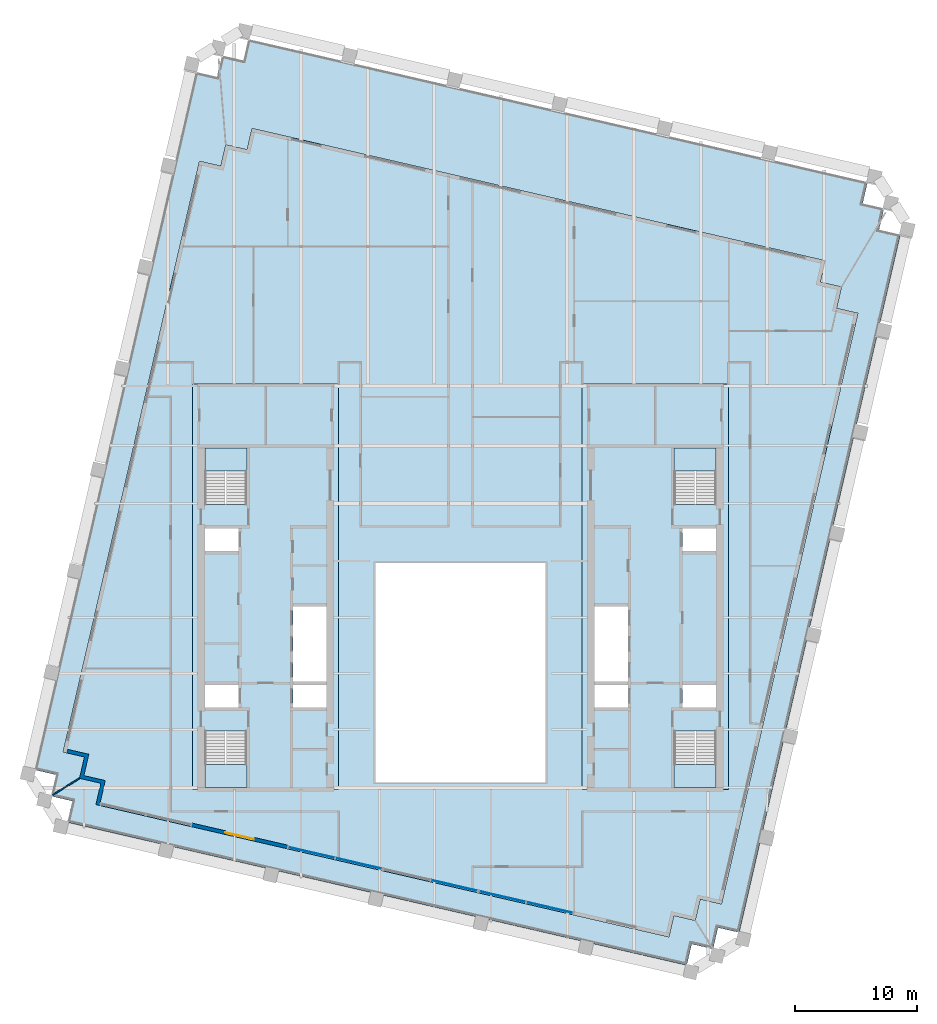
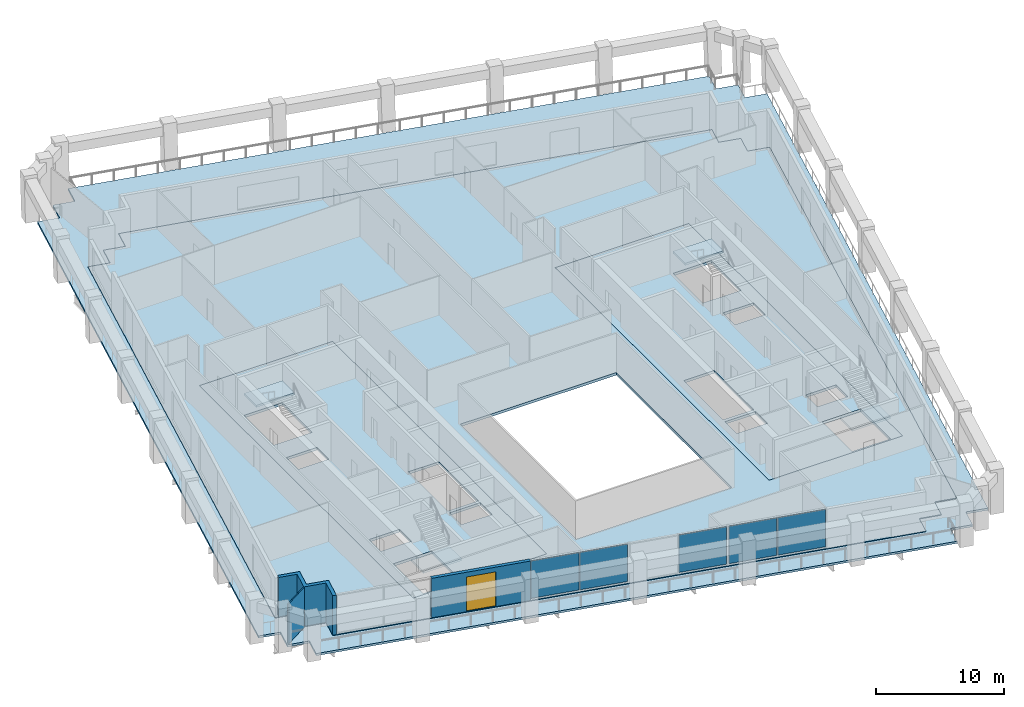
# One storey, part 4 of 11: 8 slabs, 5 plates, 3 walls, 1 door, 1 opening, 7 elements without a shape of their own.
"""IFC4 building model written with IfcOpenShell, lengths in metres."""

from ifc_helpers import new_model, si_unit, direction, frame, frame_2d, origin, origin_2d, place, context, subcontext, project, spatial, polyline, rectangle, outline, extrude, material, layer, layer_set, type_object, element, fill, aggregate, save


model = new_model("IFC4")

# Units and contexts
model_context = context("Model", 3, precision=1e-05, world=origin(), true_north=direction((0.0, 1.0)))
body_context = subcontext(model_context, "Body", "Model", "MODEL_VIEW")
ifc_project = project(units=[si_unit("LENGTHUNIT", "METRE"), si_unit("AREAUNIT", "SQUARE_METRE"), si_unit("VOLUMEUNIT", "CUBIC_METRE"), si_unit("PLANEANGLEUNIT", "RADIAN"), si_unit("MASSUNIT", "GRAM", prefix="KILO")], contexts=[model_context])

# Site, building, storey
site_placement = place(None, origin())
site = spatial("IfcSite", under=ifc_project, at=site_placement, CompositionType="ELEMENT")
building_placement = place(site_placement, origin())
building = spatial("IfcBuilding", under=site, at=building_placement, Name="Ogive Exchange Tower", CompositionType="ELEMENT")
storey_placement = place(building_placement, frame((0.0, 0.0, 293.39990234375)))
storey = spatial("IfcBuildingStorey", under=building, at=storey_placement, Name="L64", CompositionType="ELEMENT", Elevation=293.39990234375)

# Slabs
ifc_material_1 = material(Name="Concrete C50/60", Category="concrete")
ifc_layer_1 = layer(ifc_material_1, 0.25)
ifc_layer_set_1 = layer_set([ifc_layer_1], Name="Composite floor slab 250")
slab_type_1 = type_object("IfcSlabType", Name="Composite floor slab 250", PredefinedType="FLOOR", material=ifc_layer_set_1)
slab_1_placement = place(storey_placement, frame((0.0, 0.0, -0.25)))
element("IfcSlab", 1, at=slab_1_placement, inside=storey, type_object=slab_type_1, Name="Composite floor slab", PredefinedType="FLOOR", context=body_context, shape_type="SweptSolid", body=[
    extrude(outline(polyline([(-29.537109375, -2.0830078125), (-31.291015625, -1.67822265625), (-30.88623046875, 0.07568359375), (-32.64013671875, 0.480712890625), (-21.4375, 49.004150390625), (-19.68359375, 48.599365234375), (-19.27880859375, 50.353271484375), (-17.52490234375, 49.9482421875), (-17.119873046875, 51.7021484375), (29.942138671875, 40.8369140625), (29.537109375, 39.0830078125), (31.291015625, 38.67822265625), (30.88623046875, 36.92431640625), (32.64013671875, 36.519287109375), (21.4375, -12.004150390625), (19.68359375, -11.599365234375), (19.27880859375, -13.353271484375), (17.52490234375, -12.9482421875), (17.119873046875, -14.7021484375), (-29.942138671875, -3.8369140625), (-29.537109375, -2.0830078125)]), holes=[polyline([(7.0, -2.0), (7.0, 16.0), (-7.0, 16.0), (-7.0, -2.0), (7.0, -2.0)]), polyline([(-22.0, -2.60009765625), (-10.0, -2.60009765625), (-10.0, 30.699951171875), (-22.0, 30.699951171875), (-22.0, -2.60009765625)]), polyline([(10.0, -2.60009765625), (22.0, -2.60009765625), (22.0, 30.699951171875), (10.0, 30.699951171875), (10.0, -2.60009765625)])]), origin(), (0.0, 0.0, 1.0), 0.25),
])
ifc_material_2 = material(Name="Concrete C70/85", Category="concrete")
ifc_layer_2 = layer(ifc_material_2, 0.25)
ifc_layer_set_2 = layer_set([ifc_layer_2], Name="Core floor slab 250")
slab_type_2 = type_object("IfcSlabType", Name="Core floor slab 250", PredefinedType="FLOOR", material=ifc_layer_set_2)
slab_2_placement = place(storey_placement, frame((0.0, 0.0, -0.25)))
element("IfcSlab", 2, at=slab_2_placement, inside=storey, type_object=slab_type_2, Name="Core floor slab", PredefinedType="FLOOR", context=body_context, shape_type="SweptSolid", body=[
    extrude(outline(polyline([(-22.0, -2.60009765625), (-22.0, 30.699951171875), (-10.0, 30.699951171875), (-10.0, -2.60009765625), (-22.0, -2.60009765625)]), holes=[polyline([(-17.550048828125, 2.196044921875), (-21.0, 2.196044921875), (-21.0, -2.449951171875), (-17.550048828125, -2.449951171875), (-17.550048828125, 2.196044921875)]), polyline([(-18.25, 5.992919921875), (-21.0, 5.992919921875), (-21.0, 4.14990234375), (-18.25, 4.14990234375), (-18.25, 5.992919921875)]), polyline([(-11.0, 5.992919921875), (-13.75, 5.992919921875), (-13.75, 4.14990234375), (-11.0, 4.14990234375), (-11.0, 5.992919921875)]), polyline([(-13.75, 12.42138671875), (-13.75, 6.29296875), (-11.0, 6.29296875), (-11.0, 12.42138671875), (-13.75, 12.42138671875)]), polyline([(-18.25, 18.85009765625), (-21.0, 18.85009765625), (-21.0, 17.007080078125), (-18.25, 17.007080078125), (-18.25, 18.85009765625)]), polyline([(-21.0, 25.449951171875), (-21.0, 20.803955078125), (-17.550048828125, 20.803955078125), (-17.550048828125, 25.449951171875), (-21.0, 25.449951171875)])]), origin(), (0.0, 0.0, 1.0), 0.25),
])
slab_3_placement = place(storey_placement, frame((0.0, 0.0, -0.25)))
element("IfcSlab", 3, at=slab_3_placement, inside=storey, type_object=slab_type_2, Name="Core floor slab", PredefinedType="FLOOR", context=body_context, shape_type="SweptSolid", body=[
    extrude(outline(polyline([(10.0, -2.60009765625), (10.0, 30.699951171875), (22.0, 30.699951171875), (22.0, -2.60009765625), (10.0, -2.60009765625)]), holes=[polyline([(21.0, 2.196044921875), (17.550048828125, 2.196044921875), (17.550048828125, -2.449951171875), (21.0, -2.449951171875), (21.0, 2.196044921875)]), polyline([(13.75, 5.992919921875), (11.0, 5.992919921875), (11.0, 4.14990234375), (13.75, 4.14990234375), (13.75, 5.992919921875)]), polyline([(21.0, 5.992919921875), (18.25, 5.992919921875), (18.25, 4.14990234375), (21.0, 4.14990234375), (21.0, 5.992919921875)]), polyline([(11.0, 12.42138671875), (11.0, 6.29296875), (13.75, 6.29296875), (13.75, 12.42138671875), (11.0, 12.42138671875)]), polyline([(21.0, 18.85009765625), (18.25, 18.85009765625), (18.25, 17.007080078125), (21.0, 17.007080078125), (21.0, 18.85009765625)]), polyline([(17.550048828125, 25.449951171875), (17.550048828125, 20.803955078125), (21.0, 20.803955078125), (21.0, 25.449951171875), (17.550048828125, 25.449951171875)])]), origin(), (0.0, 0.0, 1.0), 0.25),
])
ifc_layer_3 = layer(ifc_material_1, 0.199951171875)
ifc_layer_set_3 = layer_set([ifc_layer_3], Name="Loggia deck 200")
slab_type_3 = type_object("IfcSlabType", Name="Loggia deck 200", PredefinedType="FLOOR", material=ifc_layer_set_3)
slab_4_placement = place(storey_placement, frame((0.0, 0.0, -0.25)))
element("IfcSlab", 4, at=slab_4_placement, inside=storey, type_object=slab_type_3, Name="Loggia deck", PredefinedType="FLOOR", context=body_context, shape_type="SweptSolid", body=[
    extrude(outline(polyline([(-31.8759765625, -3.54443359375), (-33.6298828125, -3.1396484375), (-33.224853515625, -1.3857421875), (-34.978759765625, -0.980712890625), (-21.74560546875, 56.338623046875), (-19.99169921875, 55.933837890625), (-19.586669921875, 57.687744140625), (-17.832763671875, 57.28271484375), (-17.427978515625, 59.03662109375), (33.43408203125, 47.294189453125), (33.029296875, 45.540283203125), (34.783203125, 45.135498046875), (34.378173828125, 43.381591796875), (36.132080078125, 42.976806640625), (22.89892578125, -14.343017578125), (21.14501953125, -13.93798828125), (20.739990234375, -15.69189453125), (18.986083984375, -15.286865234375), (18.581298828125, -17.040771484375), (-32.28076171875, -5.29833984375), (-31.8759765625, -3.54443359375)]), holes=[polyline([(17.52490234375, -12.9482421875), (19.27880859375, -13.353271484375), (19.68359375, -11.599365234375), (21.4375, -12.004150390625), (32.64013671875, 36.519287109375), (30.88623046875, 36.92431640625), (31.291015625, 38.67822265625), (29.537109375, 39.0830078125), (29.942138671875, 40.8369140625), (-17.119873046875, 51.7021484375), (-17.52490234375, 49.9482421875), (-19.27880859375, 50.353271484375), (-19.68359375, 48.599365234375), (-21.4375, 49.004150390625), (-32.64013671875, 0.480712890625), (-30.88623046875, 0.07568359375), (-31.291015625, -1.67822265625), (-29.537109375, -2.0830078125), (-29.942138671875, -3.8369140625), (17.119873046875, -14.7021484375), (17.52490234375, -12.9482421875)])]), origin(), (0.0, 0.0, 1.0), 0.2001953125),
])

# Curtain wall, plates
ifc_material_3 = material(Name="Anodised aluminium and clear glass", Category="aluminium")
curtain_wall_type = type_object("IfcCurtainWallType", Name="Executive floor glazing", PredefinedType="NOTDEFINED", material=ifc_material_3)
curtain_wall_1_placement = place(storey_placement, origin())
curtain_wall_1 = element("IfcCurtainWall", 5, at=curtain_wall_1_placement, inside=storey, type_object=curtain_wall_type, Name="Executive floor glazing run G3", PredefinedType="NOTDEFINED")
ifc_material_4 = material(Name="Clear glass", Category="glass")
ifc_layer_4 = layer(ifc_material_4, 0.048095703125)
ifc_layer_set_4 = layer_set([ifc_layer_4], Name="Solar-control laminated glass panel 48")
plate_type = type_object("IfcPlateType", Name="Solar-control laminated glass panel 48", PredefinedType="CURTAIN_PANEL", material=ifc_layer_set_4)
plate_1_placement = place(storey_placement, frame((-12.23583984375, -7.770751953125, 0.10009765625), z_axis=(0.0, 0.0, 1.0), x_axis=(0.974368369632, -0.224958396731, 0.0)))
plate_1 = element("IfcPlate", 6, at=plate_1_placement, type_object=plate_type, Name="G3 panel 1.1", PredefinedType="CURTAIN_PANEL", context=body_context, shape_type="SweptSolid", body=[
    extrude(rectangle(XDim=3.875, YDim=0.048095703125, at=origin_2d()), origin(), (0.0, 0.0, 1.0), 3.550048828125),
])
plate_2_placement = place(storey_placement, frame((-8.362548828125, -8.6650390625, 0.10009765625), z_axis=(0.0, 0.0, 1.0), x_axis=(0.974368369632, -0.224958396731, 0.0)))
plate_2 = element("IfcPlate", 7, at=plate_2_placement, type_object=plate_type, Name="G3 panel 2.1", PredefinedType="CURTAIN_PANEL", context=body_context, shape_type="SweptSolid", body=[
    extrude(rectangle(XDim=3.875, YDim=0.048095703125, at=origin_2d()), origin(), (0.0, 0.0, 1.0), 3.550048828125),
])
aggregate(curtain_wall_1, [plate_1, plate_2])

# Curtain wall, plate
curtain_wall_2_placement = place(storey_placement, origin())
curtain_wall_2 = element("IfcCurtainWall", 8, at=curtain_wall_2_placement, inside=storey, type_object=curtain_wall_type, Name="Executive floor glazing run G4", PredefinedType="NOTDEFINED")
plate_3_placement = place(storey_placement, frame((-0.51904296875, -10.475830078125, 0.10009765625), z_axis=(0.0, 0.0, 1.0), x_axis=(0.974371721058, -0.224943880116, 0.0)))
plate_3 = element("IfcPlate", 9, at=plate_3_placement, type_object=plate_type, Name="G4 panel 2.1", PredefinedType="CURTAIN_PANEL", context=body_context, shape_type="SweptSolid", body=[
    extrude(rectangle(XDim=3.875, YDim=0.048095703125, at=origin_2d()), origin(), (0.0, 0.0, 1.0), 3.550048828125),
])
aggregate(curtain_wall_2, [plate_3])

# Curtain wall, plates
curtain_wall_3_placement = place(storey_placement, origin())
curtain_wall_3 = element("IfcCurtainWall", 10, at=curtain_wall_3_placement, inside=storey, type_object=curtain_wall_type, Name="Executive floor glazing run G5", PredefinedType="NOTDEFINED")
plate_4_placement = place(storey_placement, frame((3.45166015625, -11.392578125, 0.10009765625), z_axis=(0.0, 0.0, 1.0), x_axis=(0.974368998279, -0.224955673842, 0.0)))
plate_4 = element("IfcPlate", 11, at=plate_4_placement, type_object=plate_type, Name="G5 panel 1.1", PredefinedType="CURTAIN_PANEL", context=body_context, shape_type="SweptSolid", body=[
    extrude(rectangle(XDim=3.875, YDim=0.048095703125, at=origin_2d()), origin(), (0.0, 0.0, 1.0), 3.550048828125),
])
plate_5_placement = place(storey_placement, frame((7.32470703125, -12.286865234375, 0.10009765625), z_axis=(0.0, 0.0, 1.0), x_axis=(0.974368998279, -0.224955673842, 0.0)))
plate_5 = element("IfcPlate", 12, at=plate_5_placement, type_object=plate_type, Name="G5 panel 2.1", PredefinedType="CURTAIN_PANEL", context=body_context, shape_type="SweptSolid", body=[
    extrude(rectangle(XDim=3.875, YDim=0.048095703125, at=origin_2d()), origin(), (0.0, 0.0, 1.0), 3.550048828125),
])
aggregate(curtain_wall_3, [plate_4, plate_5])

# Stair, slab
ifc_material_5 = material(Name="Concrete C40/50", Category="concrete")
stair_type = type_object("IfcStairType", Name="Exit stair 1650 wide", PredefinedType="HALF_TURN_STAIR", material=ifc_material_5)
stair_1_placement = place(storey_placement, origin())
stair_1 = element("IfcStair", 13, at=stair_1_placement, inside=storey, type_object=stair_type, Name="L64 exit stair ST1", PredefinedType="HALF_TURN_STAIR")
ifc_layer_5 = layer(ifc_material_5, 0.199951171875)
ifc_layer_set_5 = layer_set([ifc_layer_5], Name="Stair landing 200 slab")
slab_type_4 = type_object("IfcSlabType", Name="Stair landing 200 slab", PredefinedType="LANDING", material=ifc_layer_set_5)
slab_5_placement = place(storey_placement, frame((0.0, 0.0, 1.900146484375)))
slab_5 = element("IfcSlab", 14, at=slab_5_placement, type_object=slab_type_4, Name="ST1 landing 1", PredefinedType="LANDING", context=body_context, shape_type="SweptSolid", body=[
    extrude(outline(polyline([(-21.0, -0.550048828125), (-21.0, -2.449951171875), (-17.550048828125, -2.449951171875), (-17.550048828125, -0.550048828125), (-21.0, -0.550048828125)])), origin(), (0.0, 0.0, 1.0), 0.199951171875),
])
aggregate(stair_1, [slab_5])

stair_2_placement = place(storey_placement, origin())
stair_2 = element("IfcStair", 15, at=stair_2_placement, inside=storey, type_object=stair_type, Name="L64 exit stair ST2", PredefinedType="HALF_TURN_STAIR")
slab_6_placement = place(storey_placement, frame((0.0, 0.0, 1.900146484375)))
slab_6 = element("IfcSlab", 16, at=slab_6_placement, type_object=slab_type_4, Name="ST2 landing 1", PredefinedType="LANDING", context=body_context, shape_type="SweptSolid", body=[
    extrude(outline(polyline([(-17.550048828125, 23.550048828125), (-17.550048828125, 25.449951171875), (-21.0, 25.449951171875), (-21.0, 23.550048828125), (-17.550048828125, 23.550048828125)])), origin(), (0.0, 0.0, 1.0), 0.199951171875),
])
aggregate(stair_2, [slab_6])

stair_3_placement = place(storey_placement, origin())
stair_3 = element("IfcStair", 17, at=stair_3_placement, inside=storey, type_object=stair_type, Name="L64 exit stair ST3", PredefinedType="HALF_TURN_STAIR")
slab_7_placement = place(storey_placement, frame((0.0, 0.0, 1.900146484375)))
slab_7 = element("IfcSlab", 18, at=slab_7_placement, type_object=slab_type_4, Name="ST3 landing 1", PredefinedType="LANDING", context=body_context, shape_type="SweptSolid", body=[
    extrude(outline(polyline([(17.550048828125, -0.550048828125), (17.550048828125, -2.449951171875), (21.0, -2.449951171875), (21.0, -0.550048828125), (17.550048828125, -0.550048828125)])), origin(), (0.0, 0.0, 1.0), 0.199951171875),
])
aggregate(stair_3, [slab_7])

stair_4_placement = place(storey_placement, origin())
stair_4 = element("IfcStair", 19, at=stair_4_placement, inside=storey, type_object=stair_type, Name="L64 exit stair ST4", PredefinedType="HALF_TURN_STAIR")
slab_8_placement = place(storey_placement, frame((0.0, 0.0, 1.900146484375)))
slab_8 = element("IfcSlab", 20, at=slab_8_placement, type_object=slab_type_4, Name="ST4 landing 1", PredefinedType="LANDING", context=body_context, shape_type="SweptSolid", body=[
    extrude(outline(polyline([(21.0, 23.550048828125), (21.0, 25.449951171875), (17.550048828125, 25.449951171875), (17.550048828125, 23.550048828125), (21.0, 23.550048828125)])), origin(), (0.0, 0.0, 1.0), 0.199951171875),
])
aggregate(stair_4, [slab_8])

# Wall, opening, door
ifc_material_6 = material(Name="Precast concrete C40/50", Category="concrete")
ifc_layer_6 = layer(ifc_material_6, 0.300048828125)
ifc_layer_set_6 = layer_set([ifc_layer_6], Name="Limestone-faced wall 300")
wall_type_1 = type_object("IfcWallType", Name="Limestone-faced wall 300", PredefinedType="STANDARD", material=ifc_layer_set_6)
wall_1_placement = place(storey_placement, frame((-22.064697265625, -5.501708984375, 0.0), z_axis=(0.0, 0.0, 1.0), x_axis=(0.974372279954, -0.224941459176, 0.0)))
wall_1 = element("IfcWall", 21, at=wall_1_placement, inside=storey, type_object=wall_type_1, Name="External wall S1", PredefinedType="STANDARD", context=body_context, shape_type="SweptSolid", body=[
    extrude(rectangle(XDim=8.050048828125, YDim=0.300048828125, at=frame_2d((4.02490234375, 0.0))), origin(), (0.0, 0.0, 1.0), 3.75),
])
opening_placement = place(wall_1_placement, frame((2.824951171875, 0.0, 0.0)))
opening = element("IfcOpeningElement", 22, at=opening_placement, cuts=wall_1, Name="Opening D1D", PredefinedType="OPENING", context=body_context, shape_type="SweptSolid", body=[
    extrude(rectangle(XDim=2.39990234375, YDim=3.300048828125, at=frame_2d((1.199951171875, 1.64990234375))), frame((0.0, 0.159912109375, 0.0), z_axis=(0.0, -1.0, 0.0), x_axis=(1.0, 0.0, 0.0)), (0.0, 0.0, 1.0), 0.320068359375),
])
ifc_material_7 = material(Name="Clear glass in bronze frame", Category="glass")
door_type = type_object("IfcDoorType", Name="Sliding loggia door 2400 x 3300", OperationType="DOUBLE_DOOR_SLIDING", PredefinedType="DOOR", material=ifc_material_7)
door_placement = place(opening_placement, origin())
door = element("IfcDoor", 23, at=door_placement, inside=storey, type_object=door_type, Name="Loggia door S01", OperationType="DOUBLE_DOOR_SLIDING", OverallHeight=3.300048828125, OverallWidth=2.39990234375, PredefinedType="DOOR", context=body_context, shape_type="SweptSolid", body=[
    extrude(rectangle(XDim=2.39990234375, YDim=3.300048828125, at=frame_2d((1.199951171875, 1.64990234375))), frame((0.0, 0.02490234375, 0.0), z_axis=(0.0, -1.0, 0.0), x_axis=(1.0, 0.0, 0.0)), (0.0, 0.0, 1.0), 0.050048828125),
])
fill(opening, door)

# Walls
wall_2_placement = place(storey_placement, origin())
element("IfcWall", 24, at=wall_2_placement, inside=storey, type_object=wall_type_1, Name="External corner wall C4", PredefinedType="STANDARD", context=body_context, shape_type="SweptSolid", body=[
    extrude(outline(polyline([(-31.291015625, -1.67822265625), (-30.88623046875, 0.07568359375), (-32.34765625, 0.4130859375), (-32.2802734375, 0.705322265625), (-30.5263671875, 0.300537109375), (-30.931396484375, -1.453369140625), (-29.177490234375, -1.8583984375), (-29.64990234375, -3.904541015625), (-29.942138671875, -3.8369140625), (-29.537109375, -2.0830078125), (-31.291015625, -1.67822265625)])), origin(), (0.0, 0.0, 1.0), 3.75),
])
ifc_material_8 = material(Name="Laminated safety glass in steel frame", Category="steel")
ifc_layer_7 = layer(ifc_material_8, 0.10009765625)
ifc_layer_set_7 = layer_set([ifc_layer_7], Name="Loggia end screen 100")
wall_type_2 = type_object("IfcWallType", Name="Loggia end screen 100", PredefinedType="STANDARD", material=ifc_layer_set_7)
wall_3_placement = place(storey_placement, frame((-31.291015625, -1.67822265625, -0.0498046875), z_axis=(0.0, 0.0, 1.0), x_axis=(-0.84807753525, -0.529872148923, 0.0)))
element("IfcWall", 25, at=wall_3_placement, inside=storey, type_object=wall_type_2, Name="Loggia end screen C4", PredefinedType="STANDARD", context=body_context, shape_type="SweptSolid", body=[
    extrude(rectangle(XDim=2.596435546875, YDim=0.10009765625, at=frame_2d((1.29833984375, 0.0))), origin(), (0.0, 0.0, 1.0), 3.7998046875),
])

save(model, "model.ifc")
